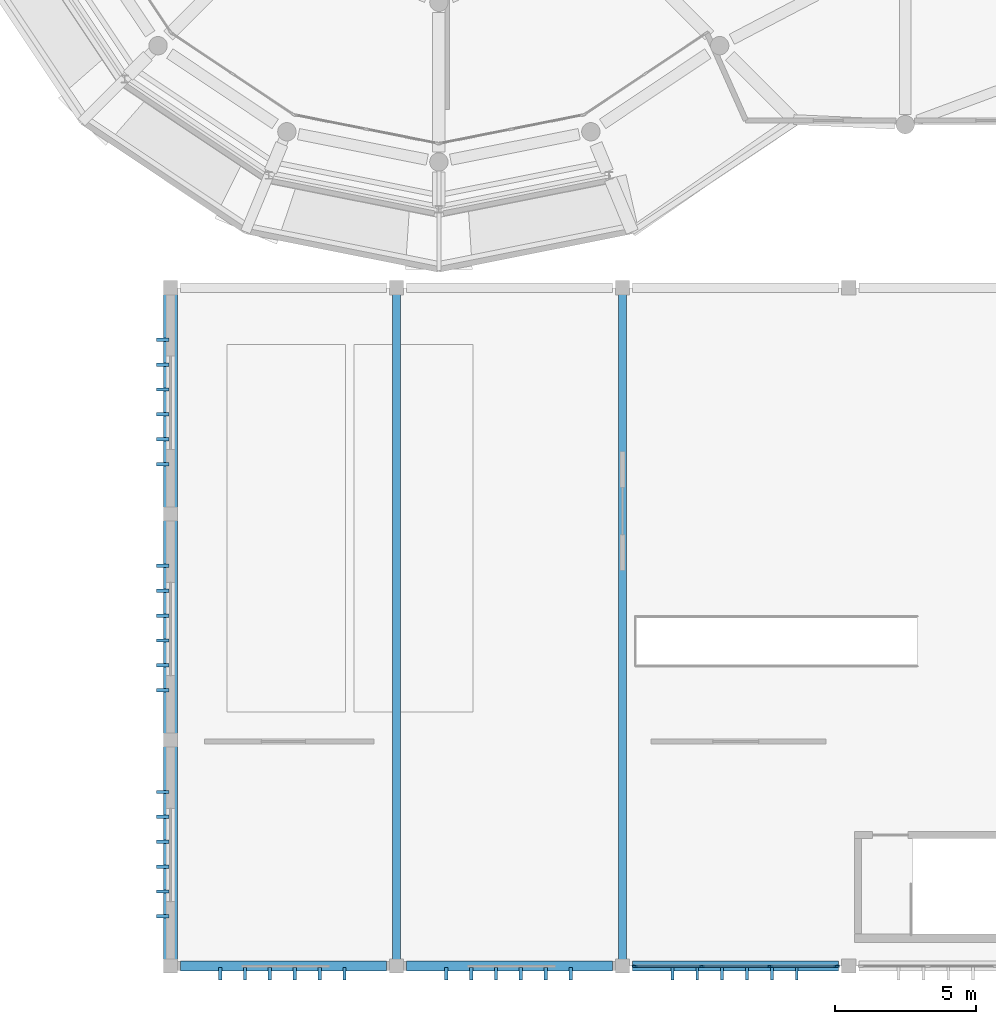
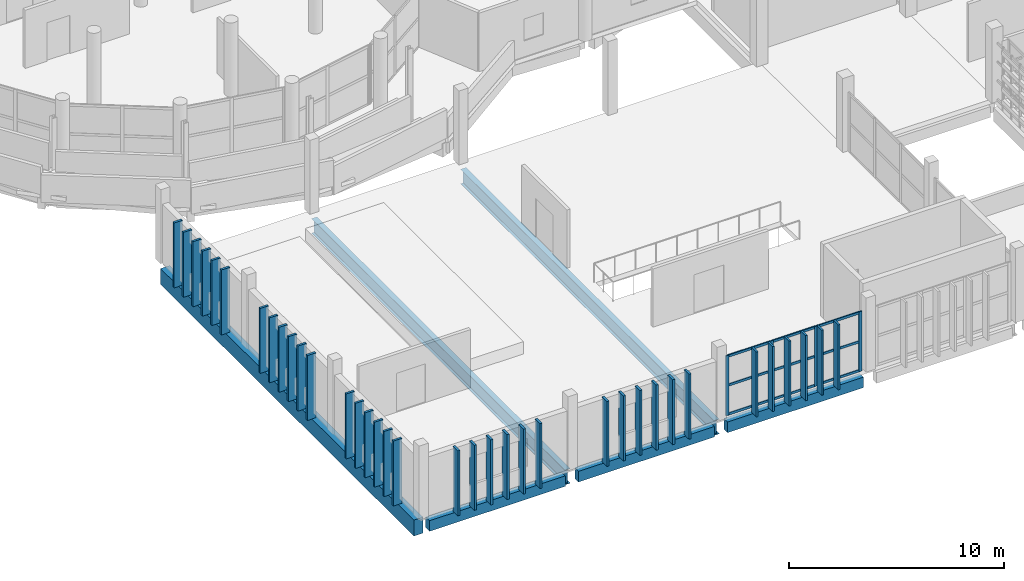
# One storey, part 8 of 137: 49 members, 6 beams, 1 element without a shape of its own.
"""IFC4 building model written with IfcOpenShell, lengths in metres."""

import ifcopenshell
import ifcopenshell.guid

model = None  # the IFC model being written
_history = None  # IfcOwnerHistory: only IFC2X3 demands one
_inside = {}  # id of a spatial element -> (the spatial element, [elements in it])
_under = {}  # id of a project, library or spatial element -> (it, [spatial elements below it])
_declared = {}  # id of a project -> (the project, [libraries it declares])
_typed = {}  # id of a type object -> (the type object, [elements of that type])
_made_of = {}  # id of a material, layer set ... -> (it, [elements and type objects made of it])


def new_model(schema):
    """Start an empty IFC model of exactly this schema.

    Asked for "IFC4X3", IfcOpenShell would pick the latest addendum, in which some entities
    have other attributes; the version numbers below select the first issue.
    IFC2X3 requires an IfcOwnerHistory on every rooted entity: one is made here for all.
    """
    global model, _history
    if schema == "IFC4X3":
        model = ifcopenshell.file(schema_version=(4, 3, 0, 0))
    else:
        model = ifcopenshell.file(schema=schema)
    _inside.clear()
    _under.clear()
    _declared.clear()
    _typed.clear()
    _made_of.clear()
    _history = None
    if model.schema == "IFC2X3":
        org = make("IfcOrganization", Name="unknown")
        user = make(
            "IfcPersonAndOrganization",
            ThePerson=make("IfcPerson", FamilyName="unknown"),
            TheOrganization=org,
        )
        app = make(
            "IfcApplication",
            ApplicationDeveloper=org,
            Version="unknown",
            ApplicationFullName="unknown",
            ApplicationIdentifier="unknown",
        )
        _history = make(
            "IfcOwnerHistory",
            OwningUser=user,
            OwningApplication=app,
            ChangeAction="ADDED",
            CreationDate=0,
        )
    return model


def make(cls, **values):
    """One entity of the class cls with the attributes given. An attribute that is None is left unset."""
    return model.create_entity(
        cls, **{name: value for name, value in values.items() if value is not None}
    )


def rooted(cls, **values):
    """An entity with a GlobalId (a new one), such as an element, a storey or a relation."""
    return make(cls, GlobalId=ifcopenshell.guid.new(), OwnerHistory=_history, **values)


def si_unit(unit_type, name, prefix=None):
    """IfcSIUnit, for example si_unit("LENGTHUNIT", "METRE", prefix="MILLI")."""
    return make("IfcSIUnit", UnitType=unit_type, Prefix=prefix, Name=name)


def assignment(units):
    """IfcUnitAssignment: the units of a project."""
    return None if units is None else make("IfcUnitAssignment", Units=units)


def point(xyz):
    """IfcCartesianPoint."""
    return None if xyz is None else make("IfcCartesianPoint", Coordinates=xyz)


def direction(xyz):
    """IfcDirection."""
    return None if xyz is None else make("IfcDirection", DirectionRatios=xyz)


def frame(location, z_axis=None, x_axis=None):
    """IfcAxis2Placement3D, a coordinate frame: its origin and axes. An axis left out is left unset."""
    return make(
        "IfcAxis2Placement3D",
        Location=point(location),
        Axis=direction(z_axis),
        RefDirection=direction(x_axis),
    )


def frame_2d(location, x_axis=None):
    """IfcAxis2Placement2D, a coordinate frame in the plane: its origin and x axis."""
    return make(
        "IfcAxis2Placement2D", Location=point(location), RefDirection=direction(x_axis)
    )


def origin():
    """The frame at (0, 0, 0) with its axes left unset."""
    return frame((0.0, 0.0, 0.0))


def origin_2d():
    """The frame at (0, 0) in the plane with its x axis left unset."""
    return frame_2d((0.0, 0.0))


def place(relative_to, where):
    """IfcLocalPlacement: puts the frame where relative to a parent placement (None: the world)."""
    return make(
        "IfcLocalPlacement", PlacementRelTo=relative_to, RelativePlacement=where
    )


def context(
    kind, dimensions, precision=None, world=None, true_north=None, identifier=None
):
    """IfcGeometricRepresentationContext, for example the 3D "Model" context."""
    return make(
        "IfcGeometricRepresentationContext",
        ContextIdentifier=identifier,
        ContextType=kind,
        CoordinateSpaceDimension=dimensions,
        Precision=precision,
        WorldCoordinateSystem=world,
        TrueNorth=true_north,
    )


def subcontext(parent, identifier, kind, view, scale=None):
    """IfcGeometricRepresentationSubContext, for example "Body" below "Model"."""
    return make(
        "IfcGeometricRepresentationSubContext",
        ContextIdentifier=identifier,
        ContextType=kind,
        ParentContext=parent,
        TargetScale=scale,
        TargetView=view,
    )


def project(units=None, contexts=None):
    """IfcProject with its units and contexts."""
    return rooted(
        "IfcProject",
        Name="project",
        RepresentationContexts=contexts,
        UnitsInContext=assignment(units),
    )


def spatial(cls, under=None, at=None, **own):
    """A site, building, storey or space (cls), placed at a placement, below another one or the project."""
    s = rooted(cls, ObjectPlacement=at, **own)
    if under is not None:
        _under.setdefault(under.id(), (under, []))[1].append(s)
    return s


def profile(cls, at=None, kind="AREA", **sizes):
    """A parametric profile (cls). Its sizes go by their IFC names, for example OverallWidth=200.0."""
    return make(cls, ProfileType=kind, Position=at, **sizes)


def rectangle(**sizes):
    """IfcRectangleProfileDef."""
    return profile("IfcRectangleProfileDef", **sizes)


def i_section(**sizes):
    """IfcIShapeProfileDef."""
    return profile("IfcIShapeProfileDef", **sizes)


def extrude(swept, where, along, depth):
    """IfcExtrudedAreaSolid: the profile swept, set in the frame where, extruded along a direction by depth."""
    return make(
        "IfcExtrudedAreaSolid",
        SweptArea=swept,
        Position=where,
        ExtrudedDirection=direction(along),
        Depth=depth,
    )


def shape(context_of_items, identifier, shape_type, items):
    """IfcShapeRepresentation: the items that make up one representation, for example the "Body"."""
    return make(
        "IfcShapeRepresentation",
        ContextOfItems=context_of_items,
        RepresentationIdentifier=identifier,
        RepresentationType=shape_type,
        Items=items,
    )


def material(Name=None, Category=None):
    """IfcMaterial."""
    return make("IfcMaterial", Name=Name, Category=Category)


def layer(
    of_material, thickness, ventilated=None, Name=None, Category=None, Priority=None
):
    """IfcMaterialLayer: one layer of a wall or slab, of a material (None: an air gap)."""
    return make(
        "IfcMaterialLayer",
        Material=of_material,
        LayerThickness=thickness,
        IsVentilated=ventilated,
        Name=Name,
        Category=Category,
        Priority=Priority,
    )


def layer_set(layers, Name=None):
    """IfcMaterialLayerSet."""
    return make("IfcMaterialLayerSet", MaterialLayers=layers, LayerSetName=Name)


def material_profile(
    of_material, cross_section, Name=None, Category=None, Priority=None
):
    """IfcMaterialProfile: a cross section and its material."""
    return make(
        "IfcMaterialProfile",
        Name=Name,
        Material=of_material,
        Profile=cross_section,
        Priority=Priority,
        Category=Category,
    )


def profile_set(profiles, Name=None, composite=None):
    """IfcMaterialProfileSet."""
    return make(
        "IfcMaterialProfileSet",
        Name=Name,
        MaterialProfiles=profiles,
        CompositeProfile=composite,
    )


def made_of(thing, what):
    """Note that an element or type object is made of a material, layer set ...; save() writes the relation."""
    if what is not None:
        _made_of.setdefault(what.id(), (what, []))[1].append(thing)
    return thing


def type_object(cls, material=None, **own):
    """A type object (cls), such as IfcWallType, which elements share."""
    return made_of(rooted(cls, **own), material)


def element(
    cls,
    number,
    at=None,
    inside=None,
    cuts=None,
    type_object=None,
    material=None,
    context=None,
    identifier="Body",
    shape_type=None,
    held_by="IfcProductDefinitionShape",
    body=None,
    shapes=None,
    **own,
):
    """One element of the class cls, such as IfcWall. Its Tag is "e" and its number.

    at: its placement. inside: the storey or other place that contains it. cuts: it is an
    opening in that element (IfcRelVoidsElement). A single representation is given by context,
    identifier, shape_type and body (its items); several are given by shapes. held_by: the class
    of the entity that holds the representations. save() writes the other relations.
    """
    e = rooted(cls, Tag="e%d" % number, ObjectPlacement=at, **own)
    if body is not None:
        shapes = [shape(context, identifier, shape_type, body)]
    if shapes is not None:
        e.Representation = make(held_by, Representations=shapes)
    if inside is not None:
        _inside.setdefault(inside.id(), (inside, []))[1].append(e)
    if cuts is not None:
        rooted(
            "IfcRelVoidsElement", RelatingBuildingElement=cuts, RelatedOpeningElement=e
        )
    if type_object is not None:
        _typed.setdefault(type_object.id(), (type_object, []))[1].append(e)
    return made_of(e, material)


def aggregate(whole, parts):
    """IfcRelAggregates: a whole, such as a stair, and the parts it consists of."""
    return rooted("IfcRelAggregates", RelatingObject=whole, RelatedObjects=parts)


def save(model, path):
    """Write the relations noted so far, then the file.

    IfcRelAggregates (storeys below a building ...), IfcRelContainedInSpatialStructure (elements
    in a storey), IfcRelDefinesByType, IfcRelAssociatesMaterial and IfcRelDeclares: one each for
    every whole, place, type object, material and project.
    """
    for whole, parts in _under.values():
        aggregate(whole, parts)
    for where, things in _inside.values():
        rooted(
            "IfcRelContainedInSpatialStructure",
            RelatedElements=things,
            RelatingStructure=where,
        )
    for kind, things in _typed.values():
        rooted("IfcRelDefinesByType", RelatedObjects=things, RelatingType=kind)
    for what, things in _made_of.values():
        rooted("IfcRelAssociatesMaterial", RelatedObjects=things, RelatingMaterial=what)
    for by, libraries in _declared.values():
        rooted("IfcRelDeclares", RelatingContext=by, RelatedDefinitions=libraries)
    model.write(path)


model = new_model("IFC4")

# Units and contexts
model_context = context("Model", 3, precision=1e-05, world=origin(), true_north=direction((0.0, 1.0)))
body_context = subcontext(model_context, "Body", "Model", "MODEL_VIEW")
ifc_project = project(units=[si_unit("LENGTHUNIT", "METRE"), si_unit("AREAUNIT", "SQUARE_METRE"), si_unit("VOLUMEUNIT", "CUBIC_METRE"), si_unit("PLANEANGLEUNIT", "RADIAN"), si_unit("MASSUNIT", "GRAM", prefix="KILO")], contexts=[model_context])

# Site, building, storey
site_placement = place(None, origin())
site = spatial("IfcSite", under=ifc_project, at=site_placement, CompositionType="ELEMENT")
building_placement = place(site_placement, origin())
building = spatial("IfcBuilding", under=site, at=building_placement, Name="Jelvoka-Kovrelna Polytechnic", CompositionType="ELEMENT")
storey_placement = place(building_placement, frame((0.0, 0.0, 9.60009765625)))
storey = spatial("IfcBuildingStorey", under=building, at=storey_placement, Name="L03", CompositionType="ELEMENT", Elevation=9.60009765625)

# Beams
ifc_material_1 = material(Name="Concrete C40/50", Category="concrete")
ifc_material_profile_1 = material_profile(ifc_material_1, rectangle(XDim=0.5, YDim=0.89990234375, at=origin_2d()), Name="RC 500x900")
ifc_profile_set_1 = profile_set([ifc_material_profile_1], Name="Concrete C40/50")
beam_type_1 = type_object("IfcBeamType", Name="Beam_RC_500x900", PredefinedType="BEAM", material=ifc_profile_set_1)
beam_placement = place(storey_placement, frame((16.0, 0.22998046875, -0.735107421875), z_axis=(0.0, 1.0, 0.0), x_axis=(-1.0, 0.0, 0.0)))
element("IfcBeam", 1, at=beam_placement, inside=storey, type_object=beam_type_1, Name="L03 beam 0195", PredefinedType="BEAM", context=body_context, shape_type="SweptSolid", body=[
    extrude(rectangle(XDim=0.5, YDim=0.89990234375, at=origin_2d()), origin(), (0.0, 0.0, 1.0), 23.5400390625),
])
ifc_material_2 = material(Name="Structural steel S355JR", Category="steel")
ifc_material_profile_2 = material_profile(ifc_material_2, i_section(OverallWidth=0.291748046875, OverallDepth=0.8349609375, WebThickness=0.013916015625, FlangeThickness=0.018798828125, FilletRadius=0.017822265625, at=origin_2d()), Name="838x292x176 UB")
ifc_profile_set_2 = profile_set([ifc_material_profile_2], Name="Structural steel S355JR")
beam_type_2 = type_object("IfcBeamType", Name="Girder_Steel_UB838", PredefinedType="BEAM", material=ifc_profile_set_2)
for number, where, z_axis, x_axis, name in (
    (2, (24.0, 0.22998046875, -0.70263671875), (0.0, 1.0, 0.0), (-1.0, 0.0, 0.0), "L03 beam 0196"),
    (3, (32.0, 0.22998046875, -0.70263671875), (0.0, 1.0, 0.0), (-1.0, 0.0, 0.0), "L03 beam 0197"),
):
    element("IfcBeam", number, at=place(storey_placement, frame(where, z_axis=z_axis, x_axis=x_axis)), inside=storey, type_object=beam_type_2, Name=name, PredefinedType="BEAM", context=body_context, shape_type="SweptSolid", body=[
        extrude(i_section(OverallWidth=0.291748046875, OverallDepth=0.8349609375, WebThickness=0.013916015625, FlangeThickness=0.018798828125, FilletRadius=0.017822265625, at=origin_2d()), origin(), (0.0, 0.0, 1.0), 23.5400390625),
    ])

# Members
ifc_material_3 = material(Name="Precast concrete C40/50", Category="concrete")
ifc_material_profile_3 = material_profile(ifc_material_3, rectangle(XDim=0.10009765625, YDim=0.449951171875, at=origin_2d()), Name="PC 100x450")
ifc_profile_set_3 = profile_set([ifc_material_profile_3], Name="Precast concrete C40/50")
member_type_1 = type_object("IfcMemberType", Name="Louvre_Fin_100x450", PredefinedType="USERDEFINED", material=ifc_profile_set_3)
for number, where, z_axis, x_axis, name in (
    (4, (33.760009765625, -0.264892578125, -0.2900390625), (0.0, 0.0, 1.0), (1.0, 0.0, 0.0), "L03 V4 south solar louvre fin 2536"),
    (5, (34.639892578125, -0.264892578125, -0.2900390625), (0.0, 0.0, 1.0), (1.0, 0.0, 0.0), "L03 V4 south solar louvre fin 2537"),
    (6, (35.52001953125, -0.264892578125, -0.2900390625), (0.0, 0.0, 1.0), (1.0, 0.0, 0.0), "L03 V4 south solar louvre fin 2538"),
    (7, (36.39990234375, -0.264892578125, -0.2900390625), (0.0, 0.0, 1.0), (1.0, 0.0, 0.0), "L03 V4 south solar louvre fin 2539"),
    (8, (37.280029296875, -0.264892578125, -0.2900390625), (0.0, 0.0, 1.0), (1.0, 0.0, 0.0), "L03 V4 south solar louvre fin 2540"),
    (9, (38.159912109375, -0.264892578125, -0.2900390625), (0.0, 0.0, 1.0), (1.0, 0.0, 0.0), "L03 V4 south solar louvre fin 2541"),
):
    element("IfcMember", number, at=place(storey_placement, frame(where, z_axis=z_axis, x_axis=x_axis)), inside=storey, type_object=member_type_1, Name=name, ObjectType="SUNSHADE", PredefinedType="USERDEFINED", context=body_context, shape_type="SweptSolid", body=[
        extrude(rectangle(XDim=0.10009765625, YDim=0.449951171875, at=origin_2d()), origin(), (0.0, 0.0, 1.0), 3.68994140625),
    ])
ifc_material_4 = material(Name="Precast concrete C40/50", Category="concrete")
ifc_material_profile_4 = material_profile(ifc_material_4, rectangle(XDim=0.1201171875, YDim=0.449951171875, at=origin_2d()), Name="PC 120x450")
ifc_profile_set_4 = profile_set([ifc_material_profile_4], Name="Precast concrete C40/50")
member_type_2 = type_object("IfcMemberType", Name="Louvre_Fin_120x450", PredefinedType="USERDEFINED", material=ifc_profile_set_4)
for number, where, z_axis, x_axis, name in (
    (10, (17.760009765625, -0.264892578125, -0.2900390625), (0.0, 0.0, 1.0), (1.0, 0.0, 0.0), "L03 V4 south solar louvre fin 2524"),
    (11, (18.639892578125, -0.264892578125, -0.2900390625), (0.0, 0.0, 1.0), (1.0, 0.0, 0.0), "L03 V4 south solar louvre fin 2525"),
    (12, (19.52001953125, -0.264892578125, -0.2900390625), (0.0, 0.0, 1.0), (1.0, 0.0, 0.0), "L03 V4 south solar louvre fin 2526"),
    (13, (20.39990234375, -0.264892578125, -0.2900390625), (0.0, 0.0, 1.0), (1.0, 0.0, 0.0), "L03 V4 south solar louvre fin 2527"),
    (14, (21.280029296875, -0.264892578125, -0.2900390625), (0.0, 0.0, 1.0), (1.0, 0.0, 0.0), "L03 V4 south solar louvre fin 2528"),
    (15, (22.159912109375, -0.264892578125, -0.2900390625), (0.0, 0.0, 1.0), (1.0, 0.0, 0.0), "L03 V4 south solar louvre fin 2529"),
    (16, (25.760009765625, -0.264892578125, -0.2900390625), (0.0, 0.0, 1.0), (1.0, 0.0, 0.0), "L03 V4 south solar louvre fin 2530"),
    (17, (26.639892578125, -0.264892578125, -0.2900390625), (0.0, 0.0, 1.0), (1.0, 0.0, 0.0), "L03 V4 south solar louvre fin 2531"),
    (18, (27.52001953125, -0.264892578125, -0.2900390625), (0.0, 0.0, 1.0), (1.0, 0.0, 0.0), "L03 V4 south solar louvre fin 2532"),
    (19, (28.39990234375, -0.264892578125, -0.2900390625), (0.0, 0.0, 1.0), (1.0, 0.0, 0.0), "L03 V4 south solar louvre fin 2533"),
    (20, (29.280029296875, -0.264892578125, -0.2900390625), (0.0, 0.0, 1.0), (1.0, 0.0, 0.0), "L03 V4 south solar louvre fin 2534"),
    (21, (30.159912109375, -0.264892578125, -0.2900390625), (0.0, 0.0, 1.0), (1.0, 0.0, 0.0), "L03 V4 south solar louvre fin 2535"),
    (22, (15.735107421875, 1.760009765625, -0.2900390625), (0.0, 0.0, 1.0), (0.0, 1.0, 0.0), "L03 V4 west solar louvre fin 2548"),
    (23, (15.735107421875, 2.639892578125, -0.2900390625), (0.0, 0.0, 1.0), (0.0, 1.0, 0.0), "L03 V4 west solar louvre fin 2549"),
    (24, (15.735107421875, 3.52001953125, -0.2900390625), (0.0, 0.0, 1.0), (0.0, 1.0, 0.0), "L03 V4 west solar louvre fin 2550"),
    (25, (15.735107421875, 4.39990234375, -0.2900390625), (0.0, 0.0, 1.0), (0.0, 1.0, 0.0), "L03 V4 west solar louvre fin 2551"),
    (26, (15.735107421875, 5.280029296875, -0.2900390625), (0.0, 0.0, 1.0), (0.0, 1.0, 0.0), "L03 V4 west solar louvre fin 2552"),
    (27, (15.735107421875, 6.159912109375, -0.2900390625), (0.0, 0.0, 1.0), (0.0, 1.0, 0.0), "L03 V4 west solar louvre fin 2553"),
    (28, (15.735107421875, 9.760009765625, -0.2900390625), (0.0, 0.0, 1.0), (0.0, 1.0, 0.0), "L03 V4 west solar louvre fin 2554"),
    (29, (15.735107421875, 10.639892578125, -0.2900390625), (0.0, 0.0, 1.0), (0.0, 1.0, 0.0), "L03 V4 west solar louvre fin 2555"),
    (30, (15.735107421875, 11.52001953125, -0.2900390625), (0.0, 0.0, 1.0), (0.0, 1.0, 0.0), "L03 V4 west solar louvre fin 2556"),
    (31, (15.735107421875, 12.39990234375, -0.2900390625), (0.0, 0.0, 1.0), (0.0, 1.0, 0.0), "L03 V4 west solar louvre fin 2557"),
    (32, (15.735107421875, 13.280029296875, -0.2900390625), (0.0, 0.0, 1.0), (0.0, 1.0, 0.0), "L03 V4 west solar louvre fin 2558"),
    (33, (15.735107421875, 14.159912109375, -0.2900390625), (0.0, 0.0, 1.0), (0.0, 1.0, 0.0), "L03 V4 west solar louvre fin 2559"),
    (34, (15.735107421875, 17.760009765625, -0.2900390625), (0.0, 0.0, 1.0), (0.0, 1.0, 0.0), "L03 V4 west solar louvre fin 2560"),
    (35, (15.735107421875, 18.639892578125, -0.2900390625), (0.0, 0.0, 1.0), (0.0, 1.0, 0.0), "L03 V4 west solar louvre fin 2561"),
    (36, (15.735107421875, 19.52001953125, -0.2900390625), (0.0, 0.0, 1.0), (0.0, 1.0, 0.0), "L03 V4 west solar louvre fin 2562"),
    (37, (15.735107421875, 20.39990234375, -0.2900390625), (0.0, 0.0, 1.0), (0.0, 1.0, 0.0), "L03 V4 west solar louvre fin 2563"),
    (38, (15.735107421875, 21.280029296875, -0.2900390625), (0.0, 0.0, 1.0), (0.0, 1.0, 0.0), "L03 V4 west solar louvre fin 2564"),
    (39, (15.735107421875, 22.159912109375, -0.2900390625), (0.0, 0.0, 1.0), (0.0, 1.0, 0.0), "L03 V4 west solar louvre fin 2565"),
):
    element("IfcMember", number, at=place(storey_placement, frame(where, z_axis=z_axis, x_axis=x_axis)), inside=storey, type_object=member_type_2, Name=name, ObjectType="SUNSHADE", PredefinedType="USERDEFINED", context=body_context, shape_type="SweptSolid", body=[
        extrude(rectangle(XDim=0.1201171875, YDim=0.449951171875, at=origin_2d()), origin(), (0.0, 0.0, 1.0), 3.68994140625),
    ])

# Curtain wall, members
ifc_material_5 = material(Name="Anodised aluminium 6063-T6", Category="aluminium")
ifc_layer = layer(ifc_material_5, 0.179931640625)
ifc_layer_set = layer_set([ifc_layer], Name="Anodised aluminium 6063-T6")
curtain_wall_type = type_object("IfcCurtainWallType", Name="CW_Pavilion", PredefinedType="NOTDEFINED", material=ifc_layer_set)
curtain_wall_placement = place(storey_placement, origin())
curtain_wall = element("IfcCurtainWall", 40, at=curtain_wall_placement, inside=storey, type_object=curtain_wall_type, Name="L03 glazed curtain wall 286", PredefinedType="NOTDEFINED")
ifc_material_6 = material(Name="Anodised aluminium 6063-T6", Category="aluminium")
ifc_material_profile_5 = material_profile(ifc_material_6, rectangle(XDim=0.06494140625, YDim=0.179931640625, at=origin_2d()), Name="ALU 65x180")
ifc_profile_set_5 = profile_set([ifc_material_profile_5], Name="Anodised aluminium 6063-T6")
member_type_3 = type_object("IfcMemberType", Name="Mullion_M-05", PredefinedType="MULLION", material=ifc_profile_set_5)
member_1_placement = place(storey_placement, frame((39.5673828125, 0.0, -0.02490234375), z_axis=(0.0, 0.0, 1.0), x_axis=(0.0, -1.0, 0.0)))
member_1 = element("IfcMember", 41, at=member_1_placement, type_object=member_type_3, Name="CW-05 mullion 1", PredefinedType="MULLION", context=body_context, shape_type="SweptSolid", body=[
    extrude(rectangle(XDim=0.06494140625, YDim=0.179931640625, at=origin_2d()), origin(), (0.0, 0.0, 1.0), 3.39990234375),
])
member_2_placement = place(storey_placement, frame((37.199951171875, 0.0, -0.02490234375), z_axis=(0.0, 0.0, 1.0), x_axis=(0.0, -1.0, 0.0)))
member_2 = element("IfcMember", 42, at=member_2_placement, type_object=member_type_3, Name="CW-05 mullion 2", PredefinedType="MULLION", context=body_context, shape_type="SweptSolid", body=[
    extrude(rectangle(XDim=0.06494140625, YDim=0.179931640625, at=origin_2d()), origin(), (0.0, 0.0, 1.0), 3.39990234375),
])
member_3_placement = place(storey_placement, frame((34.800048828125, 0.0, -0.02490234375), z_axis=(0.0, 0.0, 1.0), x_axis=(0.0, -1.0, 0.0)))
member_3 = element("IfcMember", 43, at=member_3_placement, type_object=member_type_3, Name="CW-05 mullion 3", PredefinedType="MULLION", context=body_context, shape_type="SweptSolid", body=[
    extrude(rectangle(XDim=0.06494140625, YDim=0.179931640625, at=origin_2d()), origin(), (0.0, 0.0, 1.0), 3.39990234375),
])
member_4_placement = place(storey_placement, frame((32.4326171875, 0.0, -0.02490234375), z_axis=(0.0, 0.0, 1.0), x_axis=(0.0, -1.0, 0.0)))
member_4 = element("IfcMember", 44, at=member_4_placement, type_object=member_type_3, Name="CW-05 mullion 4", PredefinedType="MULLION", context=body_context, shape_type="SweptSolid", body=[
    extrude(rectangle(XDim=0.06494140625, YDim=0.179931640625, at=origin_2d()), origin(), (0.0, 0.0, 1.0), 3.39990234375),
])

# Beams
ifc_material_7 = material(Name="Concrete C40/50", Category="concrete")
ifc_material_profile_6 = material_profile(ifc_material_7, rectangle(XDim=0.35009765625, YDim=0.60009765625, at=origin_2d()), Name="RC 350x600")
ifc_profile_set_6 = profile_set([ifc_material_profile_6], Name="Concrete C40/50")
beam_type_3 = type_object("IfcBeamType", Name="Spandrel_RC_350x600", PredefinedType="SPANDREL", material=ifc_profile_set_6)
for number, where, z_axis, x_axis, name in (
    (45, (16.35498046875, 0.0, -0.585205078125), (1.0, 0.0, 0.0), (0.0, 1.0, 0.0), "L03 beam 0199"),
    (46, (24.35498046875, 0.0, -0.585205078125), (1.0, 0.0, 0.0), (0.0, 1.0, 0.0), "L03 beam 0201"),
    (47, (32.35498046875, 0.0, -0.585205078125), (1.0, 0.0, 0.0), (0.0, 1.0, 0.0), "L03 beam 0203"),
):
    element("IfcBeam", number, at=place(storey_placement, frame(where, z_axis=z_axis, x_axis=x_axis)), inside=storey, type_object=beam_type_3, Name=name, PredefinedType="SPANDREL", context=body_context, shape_type="SweptSolid", body=[
        extrude(rectangle(XDim=0.35009765625, YDim=0.60009765625, at=origin_2d()), origin(), (0.0, 0.0, 1.0), 7.2900390625),
    ])

# Member
ifc_material_8 = material(Name="Anodised aluminium 6063-T6", Category="aluminium")
ifc_material_profile_7 = material_profile(ifc_material_8, rectangle(XDim=0.06494140625, YDim=0.135009765625, at=origin_2d()), Name="ALU 65x135")
ifc_profile_set_7 = profile_set([ifc_material_profile_7], Name="Anodised aluminium 6063-T6")
member_type_4 = type_object("IfcMemberType", Name="Transom_T-05", PredefinedType="USERDEFINED", material=ifc_profile_set_7)
member_5_placement = place(storey_placement, frame((39.534912109375, 0.0, 0.032470703125), z_axis=(-1.0, 0.0, 0.0), x_axis=(0.0, -1.0, 0.0)))
member_5 = element("IfcMember", 48, at=member_5_placement, type_object=member_type_4, Name="CW-05 transom 1.1", ObjectType="TRANSOM", PredefinedType="USERDEFINED", context=body_context, shape_type="SweptSolid", body=[
    extrude(rectangle(XDim=0.06494140625, YDim=0.135009765625, at=origin_2d()), origin(), (0.0, 0.0, 1.0), 2.302490234375),
])

member_6_placement = place(storey_placement, frame((39.534912109375, 0.0, 1.6748046875), z_axis=(-1.0, 0.0, 0.0), x_axis=(0.0, -1.0, 0.0)))
member_6 = element("IfcMember", 49, at=member_6_placement, type_object=member_type_4, Name="CW-05 transom 1.2", ObjectType="TRANSOM", PredefinedType="USERDEFINED", context=body_context, shape_type="SweptSolid", body=[
    extrude(rectangle(XDim=0.06494140625, YDim=0.135009765625, at=origin_2d()), origin(), (0.0, 0.0, 1.0), 2.302490234375),
])

member_7_placement = place(storey_placement, frame((39.534912109375, 0.0, 3.3173828125), z_axis=(-1.0, 0.0, 0.0), x_axis=(0.0, -1.0, 0.0)))
member_7 = element("IfcMember", 50, at=member_7_placement, type_object=member_type_4, Name="CW-05 transom 1.3", ObjectType="TRANSOM", PredefinedType="USERDEFINED", context=body_context, shape_type="SweptSolid", body=[
    extrude(rectangle(XDim=0.06494140625, YDim=0.135009765625, at=origin_2d()), origin(), (0.0, 0.0, 1.0), 2.302490234375),
])

member_8_placement = place(storey_placement, frame((37.16748046875, 0.0, 0.032470703125), z_axis=(-1.0, 0.0, 0.0), x_axis=(0.0, -1.0, 0.0)))
member_8 = element("IfcMember", 51, at=member_8_placement, type_object=member_type_4, Name="CW-05 transom 2.1", ObjectType="TRANSOM", PredefinedType="USERDEFINED", context=body_context, shape_type="SweptSolid", body=[
    extrude(rectangle(XDim=0.06494140625, YDim=0.135009765625, at=origin_2d()), origin(), (0.0, 0.0, 1.0), 2.3349609375),
])

member_9_placement = place(storey_placement, frame((37.16748046875, 0.0, 1.6748046875), z_axis=(-1.0, 0.0, 0.0), x_axis=(0.0, -1.0, 0.0)))
member_9 = element("IfcMember", 52, at=member_9_placement, type_object=member_type_4, Name="CW-05 transom 2.2", ObjectType="TRANSOM", PredefinedType="USERDEFINED", context=body_context, shape_type="SweptSolid", body=[
    extrude(rectangle(XDim=0.06494140625, YDim=0.135009765625, at=origin_2d()), origin(), (0.0, 0.0, 1.0), 2.3349609375),
])

member_10_placement = place(storey_placement, frame((37.16748046875, 0.0, 3.3173828125), z_axis=(-1.0, 0.0, 0.0), x_axis=(0.0, -1.0, 0.0)))
member_10 = element("IfcMember", 53, at=member_10_placement, type_object=member_type_4, Name="CW-05 transom 2.3", ObjectType="TRANSOM", PredefinedType="USERDEFINED", context=body_context, shape_type="SweptSolid", body=[
    extrude(rectangle(XDim=0.06494140625, YDim=0.135009765625, at=origin_2d()), origin(), (0.0, 0.0, 1.0), 2.3349609375),
])

member_11_placement = place(storey_placement, frame((34.767578125, 0.0, 0.032470703125), z_axis=(-1.0, 0.0, 0.0), x_axis=(0.0, -1.0, 0.0)))
member_11 = element("IfcMember", 54, at=member_11_placement, type_object=member_type_4, Name="CW-05 transom 3.1", ObjectType="TRANSOM", PredefinedType="USERDEFINED", context=body_context, shape_type="SweptSolid", body=[
    extrude(rectangle(XDim=0.06494140625, YDim=0.135009765625, at=origin_2d()), origin(), (0.0, 0.0, 1.0), 2.302490234375),
])

member_12_placement = place(storey_placement, frame((34.767578125, 0.0, 1.6748046875), z_axis=(-1.0, 0.0, 0.0), x_axis=(0.0, -1.0, 0.0)))
member_12 = element("IfcMember", 55, at=member_12_placement, type_object=member_type_4, Name="CW-05 transom 3.2", ObjectType="TRANSOM", PredefinedType="USERDEFINED", context=body_context, shape_type="SweptSolid", body=[
    extrude(rectangle(XDim=0.06494140625, YDim=0.135009765625, at=origin_2d()), origin(), (0.0, 0.0, 1.0), 2.302490234375),
])

member_13_placement = place(storey_placement, frame((34.767578125, 0.0, 3.3173828125), z_axis=(-1.0, 0.0, 0.0), x_axis=(0.0, -1.0, 0.0)))
member_13 = element("IfcMember", 56, at=member_13_placement, type_object=member_type_4, Name="CW-05 transom 3.3", ObjectType="TRANSOM", PredefinedType="USERDEFINED", context=body_context, shape_type="SweptSolid", body=[
    extrude(rectangle(XDim=0.06494140625, YDim=0.135009765625, at=origin_2d()), origin(), (0.0, 0.0, 1.0), 2.302490234375),
])

aggregate(curtain_wall, [member_1, member_2, member_3, member_4, member_5, member_6, member_7, member_8, member_9, member_10, member_11, member_12, member_13])

save(model, "model.ifc")
